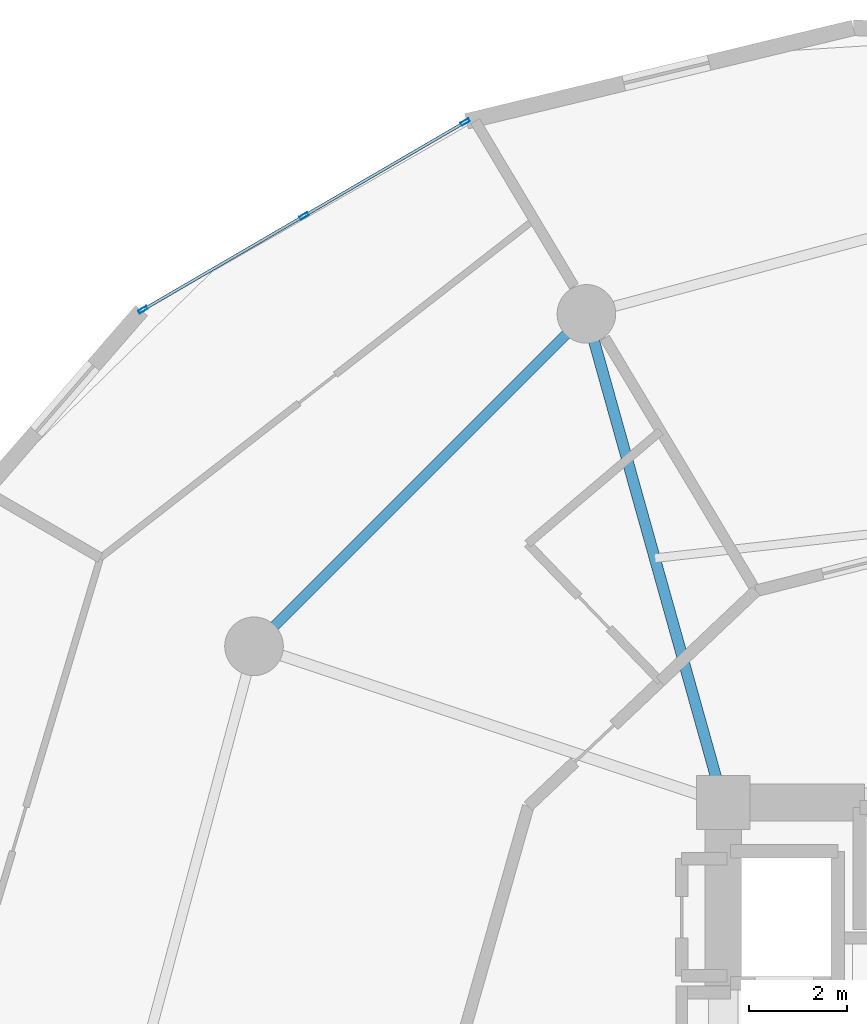
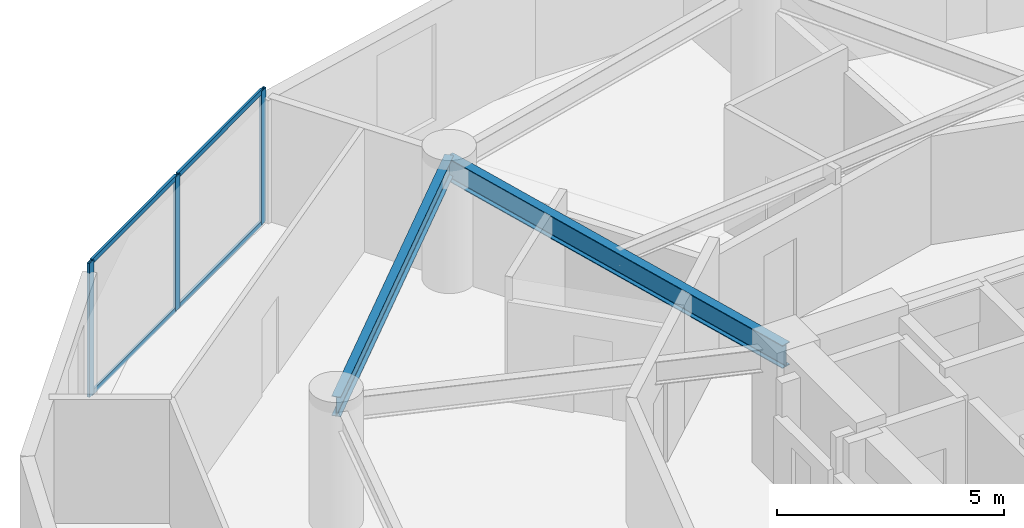
# One storey, part 11 of 23: 7 members, 2 beams, 1 element without a shape of its own.
"""IFC4 building model written with IfcOpenShell, lengths in metres."""

from ifc_helpers import new_model, si_unit, direction, frame, origin, origin_2d, place, context, subcontext, project, spatial, hollow_rectangle, i_section, extrude, source, transform, mapped, material, layer, layer_set, material_profile, profile_set, type_object, element, aggregate, save


model = new_model("IFC4")

# Units and contexts
model_context = context("Model", 3, precision=1e-05, world=origin(), true_north=direction((0.0, 1.0)))
body_context = subcontext(model_context, "Body", "Model", "MODEL_VIEW")
ifc_project = project(units=[si_unit("LENGTHUNIT", "METRE"), si_unit("AREAUNIT", "SQUARE_METRE"), si_unit("VOLUMEUNIT", "CUBIC_METRE"), si_unit("PLANEANGLEUNIT", "RADIAN"), si_unit("MASSUNIT", "GRAM", prefix="KILO")], contexts=[model_context])

# Site, building, storey
site_placement = place(None, origin())
site = spatial("IfcSite", under=ifc_project, at=site_placement, CompositionType="ELEMENT")
building_placement = place(site_placement, origin())
building = spatial("IfcBuilding", under=site, at=building_placement, Name="Solvirekh Grand Hotel", CompositionType="ELEMENT")
storey_placement = place(building_placement, frame((0.0, 0.0, 42.800048828125)))
storey = spatial("IfcBuildingStorey", under=building, at=storey_placement, Name="L09", CompositionType="ELEMENT", Elevation=42.800048828125)

# Beams
ifc_material_1 = material(Name="Steel S355", Category="steel")
ifc_material_profile_1 = material_profile(ifc_material_1, i_section(OverallWidth=0.22802734375, OverallDepth=0.616943359375, WebThickness=0.012939453125, FlangeThickness=0.02001953125, FilletRadius=0.014892578125, at=origin_2d()), Name="W610X140")
ifc_profile_set_1 = profile_set([ifc_material_profile_1], Name="Steel S355")
beam_type_1 = type_object("IfcBeamType", Name="Beam_Radial_W610", PredefinedType="BEAM", material=ifc_profile_set_1)
beam_1_placement = place(storey_placement, frame((-6.5, 6.10009765625, 3.031005859375), z_axis=(-0.269439084681, 0.963017434757, 0.0), x_axis=(-0.963017434757, -0.269439084681, 0.0)))
element("IfcBeam", 1, at=beam_1_placement, inside=storey, type_object=beam_type_1, Name="L09 radial floor beam R05", PredefinedType="BEAM", context=body_context, shape_type="SweptSolid", body=[
    extrude(i_section(OverallWidth=0.22802734375, OverallDepth=0.616943359375, WebThickness=0.012939453125, FlangeThickness=0.02001953125, FilletRadius=0.014892578125, at=origin_2d()), origin(), (0.0, 0.0, 1.0), 10.39208984375),
])
ifc_material_profile_2 = material_profile(ifc_material_1, i_section(OverallWidth=0.208984375, OverallDepth=0.532958984375, WebThickness=0.010009765625, FlangeThickness=0.014892578125, FilletRadius=0.013916015625, at=origin_2d()), Name="W530X92")
ifc_profile_set_2 = profile_set([ifc_material_profile_2], Name="Steel S355")
beam_type_2 = type_object("IfcBeamType", Name="Spandrel_Ring_W530", PredefinedType="SPANDREL", material=ifc_profile_set_2)
beam_2_placement = place(storey_placement, frame((-9.300048828125, 16.10791015625, 3.072998046875), z_axis=(-0.707106781187, -0.707106781187, 0.0), x_axis=(0.707106781187, -0.707106781187, 0.0)))
element("IfcBeam", 2, at=beam_2_placement, inside=storey, type_object=beam_type_2, Name="L09 perimeter spandrel beam 5", PredefinedType="SPANDREL", context=body_context, shape_type="SweptSolid", body=[
    extrude(i_section(OverallWidth=0.208984375, OverallDepth=0.532958984375, WebThickness=0.010009765625, FlangeThickness=0.014892578125, FilletRadius=0.013916015625, at=origin_2d()), origin(), (0.0, 0.0, 1.0), 9.627685546875),
])

# Curtain wall, members
ifc_material_2 = material(Name="Anodized Bronze Aluminium 6063-T6", Category="aluminium")
ifc_layer = layer(ifc_material_2, 0.18994140625)
ifc_layer_set = layer_set([ifc_layer], Name="Anodized Bronze Aluminium 6063-T6")
curtain_wall_type = type_object("IfcCurtainWallType", Name="CW_Sys2_LowZoneFlushBronzeCW", PredefinedType="NOTDEFINED", material=ifc_layer_set)
curtain_wall_placement = place(storey_placement, origin())
curtain_wall = element("IfcCurtainWall", 3, at=curtain_wall_placement, inside=storey, type_object=curtain_wall_type, Name="L09 unitised bronze-glass curtain wall CW-L09-C08", PredefinedType="NOTDEFINED")
ifc_material_profile_3 = material_profile(ifc_material_2, hollow_rectangle(XDim=0.06005859375, YDim=0.135009765625, WallThickness=0.00390625, at=origin_2d()), Name="ALU RHS 135X60X4")
ifc_profile_set_3 = profile_set([ifc_material_profile_3], Name="Anodized Bronze Aluminium 6063-T6")
member_type_1 = type_object("IfcMemberType", Name="CWTransom_Sys2", PredefinedType="USERDEFINED", material=ifc_profile_set_3)
shared_shape_1 = source(origin(), body_context, "Body", "SweptSolid", [
    extrude(hollow_rectangle(XDim=0.06005859375, YDim=0.135009765625, WallThickness=0.00390625, at=origin_2d()), origin(), (0.0, 0.0, 1.0), 3.74755859375),
])
member_1_placement = place(storey_placement, frame((-11.8154296875, 20.017822265625, 0.030029296875), z_axis=(-0.864100068477, -0.503320048933, 0.0), x_axis=(0.503320048933, -0.864100068477, 0.0)))
member_1 = element("IfcMember", 4, at=member_1_placement, type_object=member_type_1, Name="U02 transom 1.1", ObjectType="TRANSOM", PredefinedType="USERDEFINED", context=body_context, shape_type="MappedRepresentation", body=[
    mapped(shared_shape_1, transform((0.0, 0.0, 0.0), x_axis=(1.0, 0.0, 0.0), y_axis=(0.0, 1.0, 0.0), z_axis=(0.0, 0.0, 1.0), scale=1.0)),
])
member_2_placement = place(storey_placement, frame((-11.8154296875, 20.017822265625, 3.570068359375), z_axis=(-0.864100068477, -0.503320048933, 0.0), x_axis=(0.503320048933, -0.864100068477, 0.0)))
member_2 = element("IfcMember", 5, at=member_2_placement, type_object=member_type_1, Name="U02 transom 1.2", ObjectType="TRANSOM", PredefinedType="USERDEFINED", context=body_context, shape_type="MappedRepresentation", body=[
    mapped(shared_shape_1, transform((0.0, 0.0, 0.0), x_axis=(1.0, 0.0, 0.0), y_axis=(0.0, 1.0, 0.0), z_axis=(0.0, 0.0, 1.0), scale=1.0)),
])
member_3_placement = place(storey_placement, frame((-15.1142578125, 18.096435546875, 0.030029296875), z_axis=(-0.864100068477, -0.503320048933, 0.0), x_axis=(0.503320048933, -0.864100068477, 0.0)))
member_3 = element("IfcMember", 6, at=member_3_placement, type_object=member_type_1, Name="U02 transom 2.1", ObjectType="TRANSOM", PredefinedType="USERDEFINED", context=body_context, shape_type="MappedRepresentation", body=[
    mapped(shared_shape_1, transform((0.0, 0.0, 0.0), x_axis=(1.0, 0.0, 0.0), y_axis=(0.0, 1.0, 0.0), z_axis=(0.0, 0.0, 1.0), scale=1.0)),
])
member_4_placement = place(storey_placement, frame((-15.1142578125, 18.096435546875, 3.570068359375), z_axis=(-0.864100068477, -0.503320048933, 0.0), x_axis=(0.503320048933, -0.864100068477, 0.0)))
member_4 = element("IfcMember", 7, at=member_4_placement, type_object=member_type_1, Name="U02 transom 2.2", ObjectType="TRANSOM", PredefinedType="USERDEFINED", context=body_context, shape_type="MappedRepresentation", body=[
    mapped(shared_shape_1, transform((0.0, 0.0, 0.0), x_axis=(1.0, 0.0, 0.0), y_axis=(0.0, 1.0, 0.0), z_axis=(0.0, 0.0, 1.0), scale=1.0)),
])
ifc_material_profile_4 = material_profile(ifc_material_2, hollow_rectangle(XDim=0.070068359375, YDim=0.18994140625, WallThickness=0.0048828125, at=origin_2d()), Name="ALU RHS 190X70X5")
ifc_profile_set_4 = profile_set([ifc_material_profile_4], Name="Anodized Bronze Aluminium 6063-T6")
member_type_2 = type_object("IfcMemberType", Name="CWMullion_Sys2", PredefinedType="MULLION", material=ifc_profile_set_4)
shared_shape_2 = source(origin(), body_context, "Body", "SweptSolid", [
    extrude(hollow_rectangle(XDim=0.070068359375, YDim=0.18994140625, WallThickness=0.0048828125, at=origin_2d()), origin(), (0.0, 0.0, 1.0), 3.599853515625),
])
member_5_placement = place(storey_placement, frame((-11.78515625, 20.035400390625, 0.0), z_axis=(0.0, 0.0, 1.0), x_axis=(0.503306050629, -0.864108222042, 0.0)))
member_5 = element("IfcMember", 8, at=member_5_placement, type_object=member_type_2, Name="U02 mullion 1", PredefinedType="MULLION", context=body_context, shape_type="MappedRepresentation", body=[
    mapped(shared_shape_2, transform((0.0, 0.0, 0.0), x_axis=(1.0, 0.0, 0.0), y_axis=(0.0, 1.0, 0.0), z_axis=(0.0, 0.0, 1.0), scale=1.0)),
])
member_6_placement = place(storey_placement, frame((-15.083984375, 18.114013671875, 0.0), z_axis=(0.0, 0.0, 1.0), x_axis=(0.503306050629, -0.864108222042, 0.0)))
member_6 = element("IfcMember", 9, at=member_6_placement, type_object=member_type_2, Name="U02 mullion 2", PredefinedType="MULLION", context=body_context, shape_type="MappedRepresentation", body=[
    mapped(shared_shape_2, transform((0.0, 0.0, 0.0), x_axis=(1.0, 0.0, 0.0), y_axis=(0.0, 1.0, 0.0), z_axis=(0.0, 0.0, 1.0), scale=1.0)),
])
member_7_placement = place(storey_placement, frame((-18.3828125, 16.192626953125, 0.0), z_axis=(0.0, 0.0, 1.0), x_axis=(0.503306050629, -0.864108222042, 0.0)))
member_7 = element("IfcMember", 10, at=member_7_placement, type_object=member_type_2, Name="U02 mullion 3", PredefinedType="MULLION", context=body_context, shape_type="MappedRepresentation", body=[
    mapped(shared_shape_2, transform((0.0, 0.0, 0.0), x_axis=(1.0, 0.0, 0.0), y_axis=(0.0, 1.0, 0.0), z_axis=(0.0, 0.0, 1.0), scale=1.0)),
])
aggregate(curtain_wall, [member_5, member_6, member_7, member_1, member_2, member_3, member_4])

save(model, "model.ifc")
